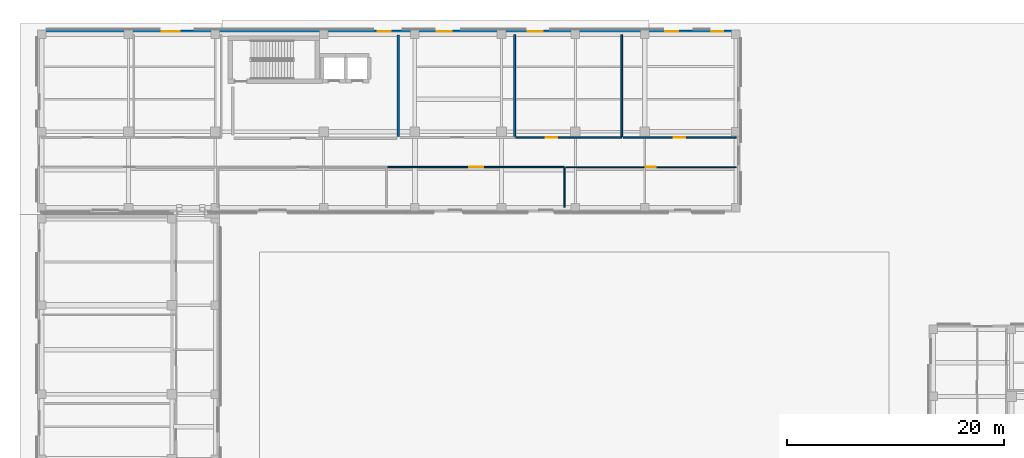
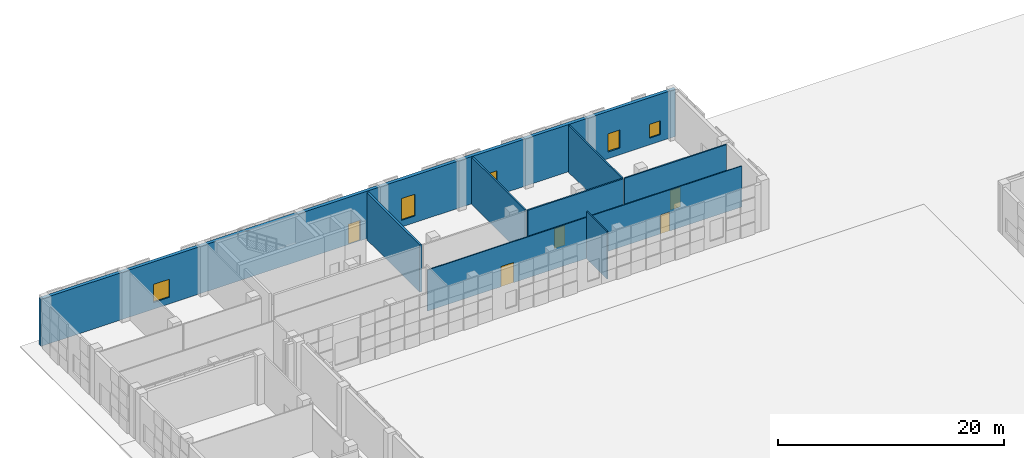
# One storey, part 15 of 40: 9 walls, 5 doors, 5 windows, 10 openings.
"""IFC4 building model written with IfcOpenShell, lengths in metres."""

from ifc_helpers import new_model, si_unit, direction, frame, frame_2d, origin, place, context, subcontext, project, spatial, rectangle, extrude, material, layer, layer_set, type_object, element, fill, save


model = new_model("IFC4")

# Units and contexts
model_context = context("Model", 3, precision=1e-05, world=origin(), true_north=direction((0.0, 1.0)))
body_context = subcontext(model_context, "Body", "Model", "MODEL_VIEW")
ifc_project = project(units=[si_unit("LENGTHUNIT", "METRE"), si_unit("AREAUNIT", "SQUARE_METRE"), si_unit("VOLUMEUNIT", "CUBIC_METRE"), si_unit("PLANEANGLEUNIT", "RADIAN"), si_unit("MASSUNIT", "GRAM", prefix="KILO")], contexts=[model_context])

# Site, building, storey
site_placement = place(None, origin())
site = spatial("IfcSite", under=ifc_project, at=site_placement, CompositionType="ELEMENT")
building_placement = place(site_placement, origin())
building = spatial("IfcBuilding", under=site, at=building_placement, Name="Qalavern Law Courts", CompositionType="ELEMENT")
storey_placement = place(building_placement, origin())
storey = spatial("IfcBuildingStorey", under=building, at=storey_placement, Name="L00", CompositionType="ELEMENT", Elevation=0.0)

# Wall, openings, door, windows
ifc_material_1 = material(Name="Concrete C40/50", Category="concrete")
ifc_layer_1 = layer(ifc_material_1, 0.340087890625)
ifc_layer_set_1 = layer_set([ifc_layer_1], Name="Concrete C40/50")
wall_type_1 = type_object("IfcWallType", Name="ENV-EW-340", PredefinedType="SOLIDWALL", material=ifc_layer_set_1)
wall_1_placement = place(storey_placement, frame((66.800048828125, 112.830078125, 0.0), z_axis=(0.0, 0.0, 1.0), x_axis=(-1.0, 0.0, 0.0)))
wall_1 = element("IfcWall", 1, at=wall_1_placement, inside=storey, type_object=wall_type_1, Name="V5 exterior wall L00 north 1", PredefinedType="SOLIDWALL", context=body_context, shape_type="SweptSolid", body=[
    extrude(rectangle(XDim=64.800048828125, YDim=0.340087890625, at=frame_2d((32.39990234375, 0.0))), origin(), (0.0, 0.0, 1.0), 5.10009765625),
])
opening_1_placement = place(wall_1_placement, frame((32.199951171875, 0.0, 0.0)))
opening_1 = element("IfcOpeningElement", 2, at=opening_1_placement, cuts=wall_1, Name="Opening ED-ST-K3", PredefinedType="OPENING", context=body_context, shape_type="SweptSolid", body=[
    extrude(rectangle(XDim=1.199951171875, YDim=2.199951171875, at=frame_2d((0.60009765625, 1.10009765625))), frame((0.0, 0.18505859375, 0.0), z_axis=(0.0, -1.0, 0.0), x_axis=(1.0, 0.0, 0.0)), (0.0, 0.0, 1.0), 0.369873046875),
])
opening_2_placement = place(wall_1_placement, frame((1.550048828125, 0.0, 0.719970703125)))
opening_2 = element("IfcOpeningElement", 3, at=opening_2_placement, cuts=wall_1, Name="Opening WN-01", PredefinedType="OPENING", context=body_context, shape_type="SweptSolid", body=[
    extrude(rectangle(XDim=1.10009765625, YDim=1.5, at=frame_2d((0.550048828125, 0.75))), frame((0.0, 0.18505859375, 0.0), z_axis=(0.0, -1.0, 0.0), x_axis=(1.0, 0.0, 0.0)), (0.0, 0.0, 1.0), 0.369873046875),
])
opening_3_placement = place(wall_1_placement, frame((5.699951171875, 0.0, 0.719970703125)))
opening_3 = element("IfcOpeningElement", 4, at=opening_3_placement, cuts=wall_1, Name="Opening WN-17", PredefinedType="OPENING", context=body_context, shape_type="SweptSolid", body=[
    extrude(rectangle(XDim=1.199951171875, YDim=1.949951171875, at=frame_2d((0.60009765625, 0.97509765625))), frame((0.0, 0.18505859375, 0.0), z_axis=(0.0, -1.0, 0.0), x_axis=(1.0, 0.0, 0.0)), (0.0, 0.0, 1.0), 0.369873046875),
])
opening_4_placement = place(wall_1_placement, frame((18.22509765625, 0.0, 0.719970703125)))
opening_4 = element("IfcOpeningElement", 5, at=opening_4_placement, cuts=wall_1, Name="Opening WN-18", PredefinedType="OPENING", context=body_context, shape_type="SweptSolid", body=[
    extrude(rectangle(XDim=1.35009765625, YDim=1.949951171875, at=frame_2d((0.675048828125, 0.97509765625))), frame((0.0, 0.18505859375, 0.0), z_axis=(0.0, -1.0, 0.0), x_axis=(1.0, 0.0, 0.0)), (0.0, 0.0, 1.0), 0.369873046875),
])
opening_5_placement = place(wall_1_placement, frame((26.60009765625, 0.0, 0.719970703125)))
opening_5 = element("IfcOpeningElement", 6, at=opening_5_placement, cuts=wall_1, Name="Opening WN-33", PredefinedType="OPENING", context=body_context, shape_type="SweptSolid", body=[
    extrude(rectangle(XDim=1.39990234375, YDim=2.35009765625, at=frame_2d((0.699951171875, 1.175048828125))), frame((0.0, 0.18505859375, 0.0), z_axis=(0.0, -1.0, 0.0), x_axis=(1.0, 0.0, 0.0)), (0.0, 0.0, 1.0), 0.369873046875),
])
opening_6_placement = place(wall_1_placement, frame((51.675048828125, 0.0, 0.719970703125)))
opening_6 = element("IfcOpeningElement", 7, at=opening_6_placement, cuts=wall_1, Name="Opening WN-20", PredefinedType="OPENING", context=body_context, shape_type="SweptSolid", body=[
    extrude(rectangle(XDim=1.64990234375, YDim=1.949951171875, at=frame_2d((0.824951171875, 0.97509765625))), frame((0.0, 0.18505859375, 0.0), z_axis=(0.0, -1.0, 0.0), x_axis=(1.0, 0.0, 0.0)), (0.0, 0.0, 1.0), 0.369873046875),
])
ifc_material_2 = material(Name="Thermally broken anodised aluminium and laminated safety glass", Category="aluminium")
door_type_1 = type_object("IfcDoorType", Name="ENV-ED-1200x2200", OperationType="NOTDEFINED", PredefinedType="DOOR", material=ifc_material_2)
door_1_placement = place(opening_1_placement, frame((1.199951171875, 0.0, 0.0), z_axis=(0.0, 0.0, 1.0), x_axis=(-1.0, 0.0, 0.0)))
door_1 = element("IfcDoor", 8, at=door_1_placement, inside=storey, type_object=door_type_1, Name="Ground pedestrian exit door ED-ST-K3", OperationType="SINGLE_SWING_LEFT", OverallHeight=2.199951171875, OverallWidth=1.199951171875, PredefinedType="DOOR", context=body_context, shape_type="SweptSolid", body=[
    extrude(rectangle(XDim=1.199951171875, YDim=2.199951171875, at=frame_2d((0.60009765625, 1.10009765625))), frame((0.0, 0.02490234375, 0.0), z_axis=(0.0, -1.0, 0.0), x_axis=(1.0, 0.0, 0.0)), (0.0, 0.0, 1.0), 0.050048828125),
])
fill(opening_1, door_1)
ifc_material_3 = material(Name="Anodised aluminium frame with low-E double glazing", Category="aluminium")
window_type_1 = type_object("IfcWindowType", Name="ENV-WIN-1100x1500", PartitioningType="SINGLE_PANEL", PredefinedType="WINDOW", material=ifc_material_3)
window_1_placement = place(opening_2_placement, origin())
window_1 = element("IfcWindow", 9, at=window_1_placement, inside=storey, type_object=window_type_1, Name="V5 window L00 north 1", OverallHeight=1.5, OverallWidth=1.10009765625, PartitioningType="SINGLE_PANEL", PredefinedType="WINDOW", context=body_context, shape_type="SweptSolid", body=[
    extrude(rectangle(XDim=1.10009765625, YDim=1.5, at=frame_2d((0.550048828125, 0.75))), frame((0.0, 0.030029296875, 0.0), z_axis=(0.0, -1.0, 0.0), x_axis=(1.0, 0.0, 0.0)), (0.0, 0.0, 1.0), 0.06005859375),
])
fill(opening_2, window_1)
window_type_2 = type_object("IfcWindowType", Name="ENV-WIN-1200x1950", PartitioningType="SINGLE_PANEL", PredefinedType="WINDOW", material=ifc_material_3)
window_2_placement = place(opening_3_placement, origin())
window_2 = element("IfcWindow", 10, at=window_2_placement, inside=storey, type_object=window_type_2, Name="V5 window L00 north 2", OverallHeight=1.949951171875, OverallWidth=1.199951171875, PartitioningType="SINGLE_PANEL", PredefinedType="WINDOW", context=body_context, shape_type="SweptSolid", body=[
    extrude(rectangle(XDim=1.199951171875, YDim=1.949951171875, at=frame_2d((0.60009765625, 0.97509765625))), frame((0.0, 0.030029296875, 0.0), z_axis=(0.0, -1.0, 0.0), x_axis=(1.0, 0.0, 0.0)), (0.0, 0.0, 1.0), 0.06005859375),
])
fill(opening_3, window_2)
window_type_3 = type_object("IfcWindowType", Name="ENV-WIN-1350x1950", PartitioningType="SINGLE_PANEL", PredefinedType="WINDOW", material=ifc_material_3)
window_3_placement = place(opening_4_placement, origin())
window_3 = element("IfcWindow", 11, at=window_3_placement, inside=storey, type_object=window_type_3, Name="V5 window L00 north 5", OverallHeight=1.949951171875, OverallWidth=1.35009765625, PartitioningType="SINGLE_PANEL", PredefinedType="WINDOW", context=body_context, shape_type="SweptSolid", body=[
    extrude(rectangle(XDim=1.35009765625, YDim=1.949951171875, at=frame_2d((0.675048828125, 0.97509765625))), frame((0.0, 0.030029296875, 0.0), z_axis=(0.0, -1.0, 0.0), x_axis=(1.0, 0.0, 0.0)), (0.0, 0.0, 1.0), 0.06005859375),
])
fill(opening_4, window_3)
window_type_4 = type_object("IfcWindowType", Name="ENV-WIN-1400x2350", PartitioningType="SINGLE_PANEL", PredefinedType="WINDOW", material=ifc_material_3)
window_4_placement = place(opening_5_placement, origin())
window_4 = element("IfcWindow", 12, at=window_4_placement, inside=storey, type_object=window_type_4, Name="V5 window L00 north 7", OverallHeight=2.35009765625, OverallWidth=1.39990234375, PartitioningType="SINGLE_PANEL", PredefinedType="WINDOW", context=body_context, shape_type="SweptSolid", body=[
    extrude(rectangle(XDim=1.39990234375, YDim=2.35009765625, at=frame_2d((0.699951171875, 1.175048828125))), frame((0.0, 0.030029296875, 0.0), z_axis=(0.0, -1.0, 0.0), x_axis=(1.0, 0.0, 0.0)), (0.0, 0.0, 1.0), 0.06005859375),
])
fill(opening_5, window_4)
window_type_5 = type_object("IfcWindowType", Name="ENV-WIN-1650x1950", PartitioningType="SINGLE_PANEL", PredefinedType="WINDOW", material=ifc_material_3)
window_5_placement = place(opening_6_placement, origin())
window_5 = element("IfcWindow", 13, at=window_5_placement, inside=storey, type_object=window_type_5, Name="V5 window L00 north 13", OverallHeight=1.949951171875, OverallWidth=1.64990234375, PartitioningType="SINGLE_PANEL", PredefinedType="WINDOW", context=body_context, shape_type="SweptSolid", body=[
    extrude(rectangle(XDim=1.64990234375, YDim=1.949951171875, at=frame_2d((0.824951171875, 0.97509765625))), frame((0.0, 0.030029296875, 0.0), z_axis=(0.0, -1.0, 0.0), x_axis=(1.0, 0.0, 0.0)), (0.0, 0.0, 1.0), 0.06005859375),
])
fill(opening_6, window_5)

# Wall
ifc_layer_2 = layer(ifc_material_1, 0.22509765625)
ifc_layer_set_2 = layer_set([ifc_layer_2], Name="Concrete C40/50")
wall_type_2 = type_object("IfcWallType", Name="INT-FW-225", PredefinedType="PARTITIONING", material=ifc_layer_set_2)
wall_2_placement = place(storey_placement, frame((35.280029296875, 103.14990234375, 0.0), z_axis=(0.0, 0.0, 1.0), x_axis=(0.0, 1.0, 0.0)))
element("IfcWall", 14, at=wall_2_placement, inside=storey, type_object=wall_type_2, Name="Core K3 protected exit discharge wall L00 pas-e", PredefinedType="PARTITIONING", context=body_context, shape_type="SweptSolid", body=[
    extrude(rectangle(XDim=9.35009765625, YDim=0.22509765625, at=frame_2d((4.675048828125, 0.0))), origin(), (0.0, 0.0, 1.0), 5.10009765625),
])

# Wall, opening, door
ifc_material_4 = material(Name="Gypsum sanitary partition")
ifc_layer_3 = layer(ifc_material_4, 0.10205078125)
ifc_layer_set_3 = layer_set([ifc_layer_3], Name="Gypsum sanitary partition")
wall_type_3 = type_object("IfcWallType", Name="INT-PW-102", PredefinedType="PARTITIONING", material=ifc_layer_set_3)
wall_3_placement = place(storey_placement, frame((50.715087890625, 100.340087890625, 0.0), z_axis=(0.0, 0.0, 1.0), x_axis=(1.0, 0.0, 0.0)))
wall_3 = element("IfcWall", 15, at=wall_3_placement, inside=storey, type_object=wall_type_3, Name="Accessible WC corridor partition L00", PredefinedType="PARTITIONING", context=body_context, shape_type="SweptSolid", body=[
    extrude(rectangle(XDim=15.704833984375, YDim=0.10205078125, at=frame_2d((7.8525390625, 0.0))), origin(), (0.0, 0.0, 1.0), 4.429931640625),
])
opening_7_placement = place(wall_3_placement, frame((7.392578125, 0.0, 0.0)))
opening_7 = element("IfcOpeningElement", 16, at=opening_7_placement, cuts=wall_3, Name="Opening L00-D344", PredefinedType="OPENING", context=body_context, shape_type="SweptSolid", body=[
    extrude(rectangle(XDim=0.919921875, YDim=2.06005859375, at=frame_2d((0.4599609375, 1.030029296875))), frame((0.0, 0.06591796875, 0.0), z_axis=(0.0, -1.0, 0.0), x_axis=(1.0, 0.0, 0.0)), (0.0, 0.0, 1.0), 0.1318359375),
])
ifc_material_5 = material(Name="Public and Staff WC door")
door_type_2 = type_object("IfcDoorType", Name="INT-ID-920x2060", OperationType="NOTDEFINED", PredefinedType="DOOR", material=ifc_material_5)
door_2_placement = place(opening_7_placement, frame((0.919921875, 0.0, 0.0), z_axis=(0.0, 0.0, 1.0), x_axis=(-1.0, 0.0, 0.0)))
door_2 = element("IfcDoor", 17, at=door_2_placement, inside=storey, type_object=door_type_2, Name="Accessible WC door L00", OperationType="SINGLE_SWING_LEFT", OverallHeight=2.06005859375, OverallWidth=0.919921875, PredefinedType="DOOR", context=body_context, shape_type="SweptSolid", body=[
    extrude(rectangle(XDim=0.919921875, YDim=2.06005859375, at=frame_2d((0.4599609375, 1.030029296875))), frame((0.0, 0.02490234375, 0.0), z_axis=(0.0, -1.0, 0.0), x_axis=(1.0, 0.0, 0.0)), (0.0, 0.0, 1.0), 0.050048828125),
])
fill(opening_7, door_2)

ifc_material_6 = material(Name="Gypsum stud partition")
ifc_layer_4 = layer(ifc_material_6, 0.112060546875)
ifc_layer_set_4 = layer_set([ifc_layer_4], Name="Gypsum stud partition")
wall_type_4 = type_object("IfcWallType", Name="INT-PW-112", PredefinedType="PARTITIONING", material=ifc_layer_set_4)
wall_4_placement = place(storey_placement, frame((34.322021484375, 100.340087890625, 0.0), z_axis=(0.0, 0.0, 1.0), x_axis=(1.0, 0.0, 0.0)))
wall_4 = element("IfcWall", 18, at=wall_4_placement, inside=storey, type_object=wall_type_4, Name="Legal Aid Clinic corridor partition L00", PredefinedType="PARTITIONING", context=body_context, shape_type="SweptSolid", body=[
    extrude(rectangle(XDim=16.27294921875, YDim=0.112060546875, at=frame_2d((8.136474609375, 0.0))), origin(), (0.0, 0.0, 1.0), 4.429931640625),
])
opening_8_placement = place(wall_4_placement, frame((7.49658203125, 0.0, 0.0)))
opening_8 = element("IfcOpeningElement", 19, at=opening_8_placement, cuts=wall_4, Name="Opening L00-D343", PredefinedType="OPENING", context=body_context, shape_type="SweptSolid", body=[
    extrude(rectangle(XDim=1.280029296875, YDim=2.179931640625, at=frame_2d((0.64013671875, 1.08984375))), frame((0.0, 0.07080078125, 0.0), z_axis=(0.0, -1.0, 0.0), x_axis=(1.0, 0.0, 0.0)), (0.0, 0.0, 1.0), 0.141845703125),
])
ifc_material_7 = material(Name="Wide oak Judicial Conference door")
door_type_3 = type_object("IfcDoorType", Name="INT-ID-1280x2180", OperationType="NOTDEFINED", PredefinedType="DOOR", material=ifc_material_7)
door_3_placement = place(opening_8_placement, frame((1.280029296875, 0.0, 0.0), z_axis=(0.0, 0.0, 1.0), x_axis=(-1.0, 0.0, 0.0)))
door_3 = element("IfcDoor", 20, at=door_3_placement, inside=storey, type_object=door_type_3, Name="Legal Aid Clinic door L00", OperationType="SINGLE_SWING_RIGHT", OverallHeight=2.179931640625, OverallWidth=1.280029296875, PredefinedType="DOOR", context=body_context, shape_type="SweptSolid", body=[
    extrude(rectangle(XDim=1.280029296875, YDim=2.179931640625, at=frame_2d((0.64013671875, 1.08984375))), frame((0.0, 0.02490234375, 0.0), z_axis=(0.0, -1.0, 0.0), x_axis=(1.0, 0.0, 0.0)), (0.0, 0.0, 1.0), 0.050048828125),
])
fill(opening_8, door_3)

# Wall
wall_5_placement = place(storey_placement, frame((50.594970703125, 96.639892578125, 0.0), z_axis=(0.0, 0.0, 1.0), x_axis=(0.0, 1.0, 0.0)))
element("IfcWall", 21, at=wall_5_placement, inside=storey, type_object=wall_type_4, Name="Legal Aid Clinic cross partition L00 east", PredefinedType="PARTITIONING", context=body_context, shape_type="SweptSolid", body=[
    extrude(rectangle(XDim=3.6240234375, YDim=0.112060546875, at=frame_2d((1.81201171875, 0.0))), origin(), (0.0, 0.0, 1.0), 5.10009765625),
])

# Wall, opening, door
ifc_layer_5 = layer(ifc_material_6, 0.14208984375)
ifc_layer_set_5 = layer_set([ifc_layer_5], Name="Gypsum stud partition")
wall_type_5 = type_object("IfcWallType", Name="INT-PW-142", PredefinedType="PARTITIONING", material=ifc_layer_set_5)
wall_6_placement = place(storey_placement, frame((55.99609375, 103.06005859375, 0.0), z_axis=(0.0, 0.0, 1.0), x_axis=(1.0, 0.0, 0.0)))
wall_6 = element("IfcWall", 22, at=wall_6_placement, inside=storey, type_object=wall_type_5, Name="Legal Aid Clinic corridor partition L00", PredefinedType="PARTITIONING", context=body_context, shape_type="SweptSolid", body=[
    extrude(rectangle(XDim=10.423828125, YDim=0.14208984375, at=frame_2d((5.2119140625, 0.0))), origin(), (0.0, 0.0, 1.0), 5.10009765625),
])
opening_9_placement = place(wall_6_placement, frame((4.681884765625, 0.0, 0.0)))
opening_9 = element("IfcOpeningElement", 23, at=opening_9_placement, cuts=wall_6, Name="Opening L00-D347", PredefinedType="OPENING", context=body_context, shape_type="SweptSolid", body=[
    extrude(rectangle(XDim=1.06005859375, YDim=2.1201171875, at=frame_2d((0.530029296875, 1.06005859375))), frame((0.0, 0.0859375, 0.0), z_axis=(0.0, -1.0, 0.0), x_axis=(1.0, 0.0, 0.0)), (0.0, 0.0, 1.0), 0.171875),
])
ifc_material_8 = material(Name="Solid oak Trial Judges' Chambers door")
door_type_4 = type_object("IfcDoorType", Name="INT-ID-1060x2120", OperationType="NOTDEFINED", PredefinedType="DOOR", material=ifc_material_8)
door_4_placement = place(opening_9_placement, origin())
door_4 = element("IfcDoor", 24, at=door_4_placement, inside=storey, type_object=door_type_4, Name="Legal Aid Clinic door L00", OperationType="SINGLE_SWING_RIGHT", OverallHeight=2.1201171875, OverallWidth=1.06005859375, PredefinedType="DOOR", context=body_context, shape_type="SweptSolid", body=[
    extrude(rectangle(XDim=1.06005859375, YDim=2.1201171875, at=frame_2d((0.530029296875, 1.06005859375))), frame((0.0, 0.02490234375, 0.0), z_axis=(0.0, -1.0, 0.0), x_axis=(1.0, 0.0, 0.0)), (0.0, 0.0, 1.0), 0.050048828125),
])
fill(opening_9, door_4)

ifc_layer_6 = layer(ifc_material_6, 0.152099609375)
ifc_layer_set_6 = layer_set([ifc_layer_6], Name="Gypsum stud partition")
wall_type_6 = type_object("IfcWallType", Name="INT-PW-152", PredefinedType="PARTITIONING", material=ifc_layer_set_6)
wall_7_placement = place(storey_placement, frame((46.1220703125, 103.06005859375, 0.0), z_axis=(0.0, 0.0, 1.0), x_axis=(1.0, 0.0, 0.0)))
wall_7 = element("IfcWall", 25, at=wall_7_placement, inside=storey, type_object=wall_type_6, Name="Court Administration Office corridor partition L00", PredefinedType="PARTITIONING", context=body_context, shape_type="SweptSolid", body=[
    extrude(rectangle(XDim=9.75390625, YDim=0.152099609375, at=frame_2d((4.876953125, 0.0))), origin(), (0.0, 0.0, 1.0), 5.10009765625),
])
opening_10_placement = place(wall_7_placement, frame((2.73193359375, 0.0, 0.0)))
opening_10 = element("IfcOpeningElement", 26, at=opening_10_placement, cuts=wall_7, Name="Opening L00-D346", PredefinedType="OPENING", context=body_context, shape_type="SweptSolid", body=[
    extrude(rectangle(XDim=1.090087890625, YDim=2.1298828125, at=frame_2d((0.544921875, 1.06494140625))), frame((0.0, 0.0908203125, 0.0), z_axis=(0.0, -1.0, 0.0), x_axis=(1.0, 0.0, 0.0)), (0.0, 0.0, 1.0), 0.181884765625),
])
ifc_material_9 = material(Name="Solid oak Senior Judges' Chambers door")
door_type_5 = type_object("IfcDoorType", Name="INT-ID-1090x2130", OperationType="NOTDEFINED", PredefinedType="DOOR", material=ifc_material_9)
door_5_placement = place(opening_10_placement, origin())
door_5 = element("IfcDoor", 27, at=door_5_placement, inside=storey, type_object=door_type_5, Name="Court Administration Office door L00", OperationType="SINGLE_SWING_LEFT", OverallHeight=2.1298828125, OverallWidth=1.090087890625, PredefinedType="DOOR", context=body_context, shape_type="SweptSolid", body=[
    extrude(rectangle(XDim=1.090087890625, YDim=2.1298828125, at=frame_2d((0.544921875, 1.06494140625))), frame((0.0, 0.02490234375, 0.0), z_axis=(0.0, -1.0, 0.0), x_axis=(1.0, 0.0, 0.0)), (0.0, 0.0, 1.0), 0.050048828125),
])
fill(opening_10, door_5)

# Walls
wall_8_placement = place(storey_placement, frame((55.8759765625, 103.156005859375, 0.0), z_axis=(0.0, 0.0, 1.0), x_axis=(0.0, 1.0, 0.0)))
element("IfcWall", 28, at=wall_8_placement, inside=storey, type_object=wall_type_6, Name="Court Administration Office cross partition L00 east", PredefinedType="PARTITIONING", context=body_context, shape_type="SweptSolid", body=[
    extrude(rectangle(XDim=9.404052734375, YDim=0.152099609375, at=frame_2d((4.7021484375, 0.0))), origin(), (0.0, 0.0, 1.0), 5.10009765625),
])
ifc_layer_7 = layer(ifc_material_6, 0.162109375)
ifc_layer_set_7 = layer_set([ifc_layer_7], Name="Gypsum stud partition")
wall_type_7 = type_object("IfcWallType", Name="INT-PW-162", PredefinedType="PARTITIONING", material=ifc_layer_set_7)
wall_9_placement = place(storey_placement, frame((46.001953125, 103.160888671875, 0.0), z_axis=(0.0, 0.0, 1.0), x_axis=(0.0, 1.0, 0.0)))
element("IfcWall", 29, at=wall_9_placement, inside=storey, type_object=wall_type_7, Name="Judicial Entrance Hall cross partition L00 east", PredefinedType="PARTITIONING", context=body_context, shape_type="SweptSolid", body=[
    extrude(rectangle(XDim=9.399169921875, YDim=0.162109375, at=frame_2d((4.69970703125, 0.0))), origin(), (0.0, 0.0, 1.0), 5.10009765625),
])

save(model, "model.ifc")
